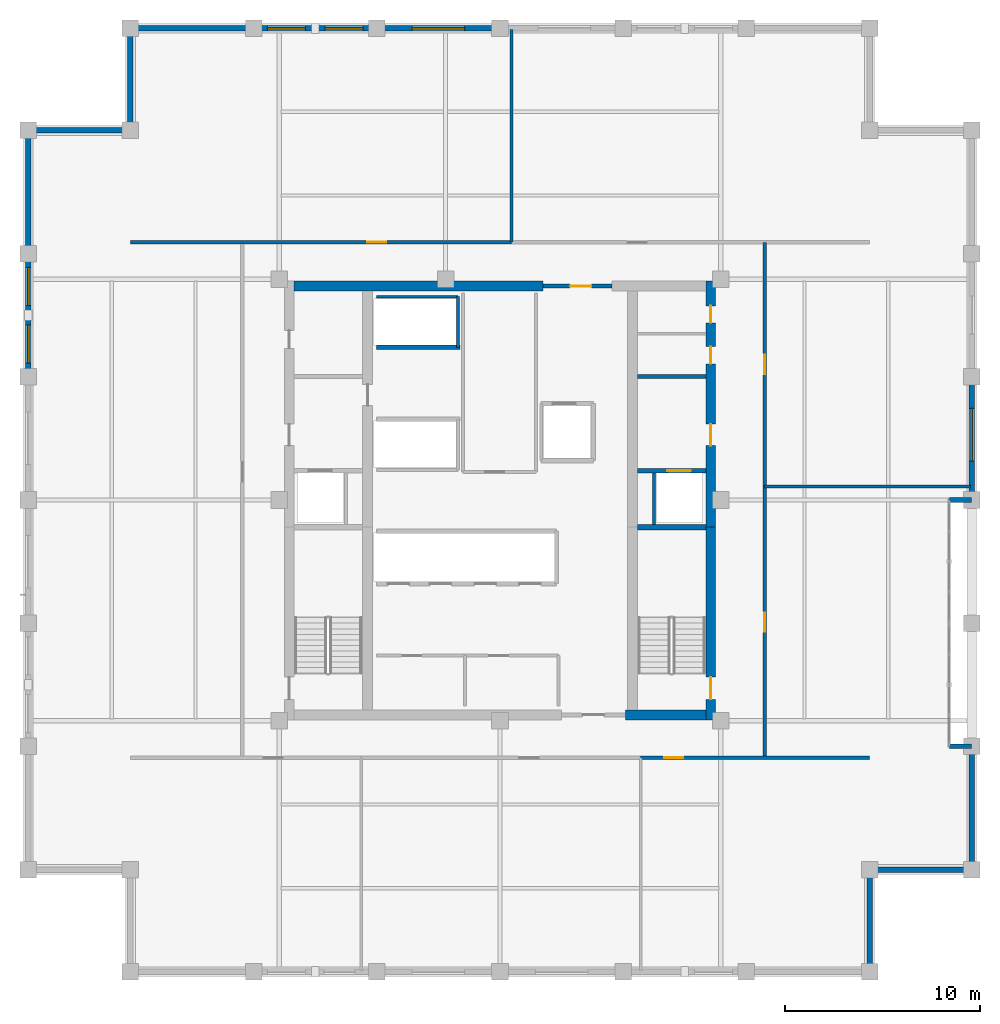
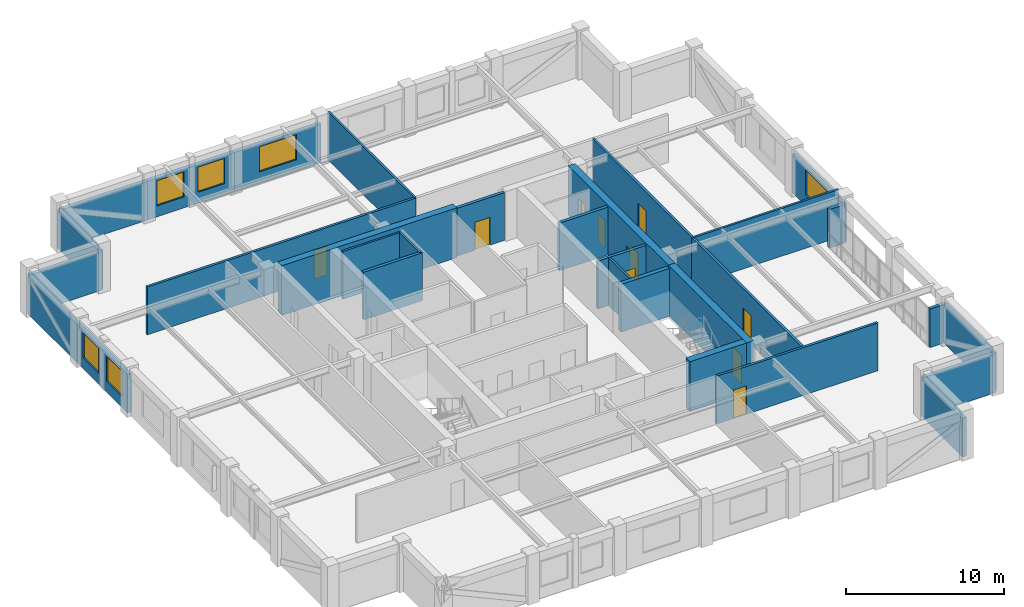
# One storey, part 7 of 10: 31 walls, 10 doors, 6 windows, 16 openings.
"""IFC4 building model written with IfcOpenShell, lengths in metres."""

from ifc_helpers import new_model, si_unit, direction, frame, frame_2d, origin, place, context, subcontext, project, spatial, rectangle, extrude, material, layer, layer_set, type_object, element, fill, save


model = new_model("IFC4")

# Units and contexts
model_context = context("Model", 3, precision=1e-05, world=origin(), true_north=direction((0.0, 1.0)))
body_context = subcontext(model_context, "Body", "Model", "MODEL_VIEW")
ifc_project = project(units=[si_unit("LENGTHUNIT", "METRE"), si_unit("AREAUNIT", "SQUARE_METRE"), si_unit("VOLUMEUNIT", "CUBIC_METRE"), si_unit("PLANEANGLEUNIT", "RADIAN"), si_unit("MASSUNIT", "GRAM", prefix="KILO")], contexts=[model_context])

# Site, building, storey
site_placement = place(None, origin())
site = spatial("IfcSite", under=ifc_project, at=site_placement, CompositionType="ELEMENT")
building_placement = place(site_placement, origin())
building = spatial("IfcBuilding", under=site, at=building_placement, Name="Nhamokura Convention Tower", CompositionType="ELEMENT")
storey_placement = place(building_placement, frame((0.0, 0.0, 236.949951171875)))
storey = spatial("IfcBuildingStorey", under=building, at=storey_placement, Name="L58", CompositionType="ELEMENT", Elevation=236.949951171875)

# Wall
ifc_material_1 = material(Name="Bronze-pigmented precast concrete C45/55", Category="concrete")
ifc_layer_1 = layer(ifc_material_1, 0.280029296875)
ifc_layer_set_1 = layer_set([ifc_layer_1], Name="BronzePrecastSpandrel_280")
wall_type_1 = type_object("IfcWallType", Name="BronzePrecastSpandrel_280", PredefinedType="USERDEFINED", material=ifc_layer_set_1)
wall_1_placement = place(storey_placement, frame((13.0, 56.25, 0.0), z_axis=(0.0, 0.0, 1.0), x_axis=(1.0, 0.0, 0.0)))
element("IfcWall", 1, at=wall_1_placement, inside=storey, type_object=wall_type_1, Name="L58 Braced-Bay Precast Wall NORTH 0", ObjectType="SPANDREL_WALL", PredefinedType="USERDEFINED", context=body_context, shape_type="SweptSolid", body=[
    extrude(rectangle(XDim=6.333251953125, YDim=0.280029296875, at=frame_2d((3.16650390625, 0.0))), origin(), (0.0, 0.0, 1.0), 2.985107421875),
])

# Wall, openings, windows
wall_2_placement = place(storey_placement, frame((19.333251953125, 56.25, 0.0), z_axis=(0.0, 0.0, 1.0), x_axis=(1.0, 0.0, 0.0)))
wall_2 = element("IfcWall", 2, at=wall_2_placement, inside=storey, type_object=wall_type_1, Name="L58 Masonry-Frame Wall NORTH 1", ObjectType="SPANDREL_WALL", PredefinedType="USERDEFINED", context=body_context, shape_type="SweptSolid", body=[
    extrude(rectangle(XDim=6.33349609375, YDim=0.280029296875, at=frame_2d((3.166748046875, 0.0))), origin(), (0.0, 0.0, 1.0), 2.985107421875),
])
opening_1_placement = place(wall_2_placement, frame((0.708251953125, 0.0, 0.85009765625)))
opening_1 = element("IfcOpeningElement", 3, at=opening_1_placement, cuts=wall_2, Name="Opening W-08", PredefinedType="OPENING", context=body_context, shape_type="SweptSolid", body=[
    extrude(rectangle(XDim=1.949951171875, YDim=1.93505859375, at=frame_2d((0.97509765625, 0.967529296875))), frame((0.0, 0.14990234375, 0.0), z_axis=(0.0, -1.0, 0.0), x_axis=(1.0, 0.0, 0.0)), (0.0, 0.0, 1.0), 0.300048828125),
])
opening_2_placement = place(wall_2_placement, frame((3.675048828125, 0.0, 0.85009765625)))
opening_2 = element("IfcOpeningElement", 4, at=opening_2_placement, cuts=wall_2, Name="Opening W-08", PredefinedType="OPENING", context=body_context, shape_type="SweptSolid", body=[
    extrude(rectangle(XDim=1.949951171875, YDim=1.93505859375, at=frame_2d((0.97509765625, 0.967529296875))), frame((0.0, 0.14990234375, 0.0), z_axis=(0.0, -1.0, 0.0), x_axis=(1.0, 0.0, 0.0)), (0.0, 0.0, 1.0), 0.300048828125),
])
ifc_material_2 = material(Name="Solar-control bronze low-E double glass", Category="glass")
window_type_1 = type_object("IfcWindowType", Name="OfficeModuleWindow_Z3_1950", PartitioningType="SINGLE_PANEL", PredefinedType="WINDOW", material=ifc_material_2)
window_1_placement = place(opening_1_placement, origin())
window_1 = element("IfcWindow", 5, at=window_1_placement, inside=storey, type_object=window_type_1, Name="L58 Facade Window NORTH 1-1", OverallHeight=1.93505859375, OverallWidth=1.949951171875, PartitioningType="SINGLE_PANEL", PredefinedType="WINDOW", context=body_context, shape_type="SweptSolid", body=[
    extrude(rectangle(XDim=1.949951171875, YDim=1.93505859375, at=frame_2d((0.97509765625, 0.967529296875))), frame((0.0, 0.030029296875, 0.0), z_axis=(0.0, -1.0, 0.0), x_axis=(1.0, 0.0, 0.0)), (0.0, 0.0, 1.0), 0.06005859375),
])
fill(opening_1, window_1)
window_2_placement = place(opening_2_placement, origin())
window_2 = element("IfcWindow", 6, at=window_2_placement, inside=storey, type_object=window_type_1, Name="L58 Facade Window NORTH 1-2", OverallHeight=1.93505859375, OverallWidth=1.949951171875, PartitioningType="SINGLE_PANEL", PredefinedType="WINDOW", context=body_context, shape_type="SweptSolid", body=[
    extrude(rectangle(XDim=1.949951171875, YDim=1.93505859375, at=frame_2d((0.97509765625, 0.967529296875))), frame((0.0, 0.030029296875, 0.0), z_axis=(0.0, -1.0, 0.0), x_axis=(1.0, 0.0, 0.0)), (0.0, 0.0, 1.0), 0.06005859375),
])
fill(opening_2, window_2)

# Wall, opening, window
wall_3_placement = place(storey_placement, frame((25.666748046875, 56.25, 0.0), z_axis=(0.0, 0.0, 1.0), x_axis=(1.0, 0.0, 0.0)))
wall_3 = element("IfcWall", 7, at=wall_3_placement, inside=storey, type_object=wall_type_1, Name="L58 Masonry-Frame Wall NORTH 2", ObjectType="SPANDREL_WALL", PredefinedType="USERDEFINED", context=body_context, shape_type="SweptSolid", body=[
    extrude(rectangle(XDim=6.333251953125, YDim=0.280029296875, at=frame_2d((3.16650390625, 0.0))), origin(), (0.0, 0.0, 1.0), 2.985107421875),
])
opening_3_placement = place(wall_3_placement, frame((1.816650390625, 0.0, 0.85009765625)))
opening_3 = element("IfcOpeningElement", 8, at=opening_3_placement, cuts=wall_3, Name="Opening W-07", PredefinedType="OPENING", context=body_context, shape_type="SweptSolid", body=[
    extrude(rectangle(XDim=2.699951171875, YDim=1.93505859375, at=frame_2d((1.35009765625, 0.967529296875))), frame((0.0, 0.14990234375, 0.0), z_axis=(0.0, -1.0, 0.0), x_axis=(1.0, 0.0, 0.0)), (0.0, 0.0, 1.0), 0.300048828125),
])
ifc_material_3 = material(Name="Solar-control bronze low-E double glass", Category="glass")
window_type_2 = type_object("IfcWindowType", Name="OfficeModuleWindow_Z3_2700", PartitioningType="DOUBLE_PANEL_VERTICAL", PredefinedType="WINDOW", material=ifc_material_3)
window_3_placement = place(opening_3_placement, origin())
window_3 = element("IfcWindow", 9, at=window_3_placement, inside=storey, type_object=window_type_2, Name="L58 Facade Window NORTH 2", OverallHeight=1.93505859375, OverallWidth=2.699951171875, PartitioningType="SINGLE_PANEL", PredefinedType="WINDOW", context=body_context, shape_type="SweptSolid", body=[
    extrude(rectangle(XDim=2.699951171875, YDim=1.93505859375, at=frame_2d((1.35009765625, 0.967529296875))), frame((0.0, 0.030029296875, 0.0), z_axis=(0.0, -1.0, 0.0), x_axis=(1.0, 0.0, 0.0)), (0.0, 0.0, 1.0), 0.06005859375),
])
fill(opening_3, window_3)

# Wall, openings, windows
wall_4_placement = place(storey_placement, frame((7.75, 38.333251953125, 0.0), z_axis=(0.0, 0.0, 1.0), x_axis=(0.0, 1.0, 0.0)))
wall_4 = element("IfcWall", 10, at=wall_4_placement, inside=storey, type_object=wall_type_1, Name="L58 Masonry-Frame Wall WEST 4", ObjectType="SPANDREL_WALL", PredefinedType="USERDEFINED", context=body_context, shape_type="SweptSolid", body=[
    extrude(rectangle(XDim=6.33349609375, YDim=0.280029296875, at=frame_2d((3.166748046875, 0.0))), origin(), (0.0, 0.0, 1.0), 2.985107421875),
])
opening_4_placement = place(wall_4_placement, frame((0.708251953125, 0.0, 0.85009765625)))
opening_4 = element("IfcOpeningElement", 11, at=opening_4_placement, cuts=wall_4, Name="Opening W-08", PredefinedType="OPENING", context=body_context, shape_type="SweptSolid", body=[
    extrude(rectangle(XDim=1.949951171875, YDim=1.93505859375, at=frame_2d((0.97509765625, 0.967529296875))), frame((0.0, 0.14990234375, 0.0), z_axis=(0.0, -1.0, 0.0), x_axis=(1.0, 0.0, 0.0)), (0.0, 0.0, 1.0), 0.300048828125),
])
opening_5_placement = place(wall_4_placement, frame((3.675048828125, 0.0, 0.85009765625)))
opening_5 = element("IfcOpeningElement", 12, at=opening_5_placement, cuts=wall_4, Name="Opening W-08", PredefinedType="OPENING", context=body_context, shape_type="SweptSolid", body=[
    extrude(rectangle(XDim=1.949951171875, YDim=1.93505859375, at=frame_2d((0.97509765625, 0.967529296875))), frame((0.0, 0.14990234375, 0.0), z_axis=(0.0, -1.0, 0.0), x_axis=(1.0, 0.0, 0.0)), (0.0, 0.0, 1.0), 0.300048828125),
])
window_4_placement = place(opening_4_placement, origin())
window_4 = element("IfcWindow", 13, at=window_4_placement, inside=storey, type_object=window_type_1, Name="L58 Facade Window WEST 4-1", OverallHeight=1.93505859375, OverallWidth=1.949951171875, PartitioningType="SINGLE_PANEL", PredefinedType="WINDOW", context=body_context, shape_type="SweptSolid", body=[
    extrude(rectangle(XDim=1.949951171875, YDim=1.93505859375, at=frame_2d((0.97509765625, 0.967529296875))), frame((0.0, 0.030029296875, 0.0), z_axis=(0.0, -1.0, 0.0), x_axis=(1.0, 0.0, 0.0)), (0.0, 0.0, 1.0), 0.06005859375),
])
fill(opening_4, window_4)
window_5_placement = place(opening_5_placement, origin())
window_5 = element("IfcWindow", 14, at=window_5_placement, inside=storey, type_object=window_type_1, Name="L58 Facade Window WEST 4-2", OverallHeight=1.93505859375, OverallWidth=1.949951171875, PartitioningType="SINGLE_PANEL", PredefinedType="WINDOW", context=body_context, shape_type="SweptSolid", body=[
    extrude(rectangle(XDim=1.949951171875, YDim=1.93505859375, at=frame_2d((0.97509765625, 0.967529296875))), frame((0.0, 0.030029296875, 0.0), z_axis=(0.0, -1.0, 0.0), x_axis=(1.0, 0.0, 0.0)), (0.0, 0.0, 1.0), 0.06005859375),
])
fill(opening_5, window_5)

# Walls
wall_5_placement = place(storey_placement, frame((7.75, 44.666748046875, 0.0), z_axis=(0.0, 0.0, 1.0), x_axis=(0.0, 1.0, 0.0)))
element("IfcWall", 15, at=wall_5_placement, inside=storey, type_object=wall_type_1, Name="L58 Braced-Bay Precast Wall WEST 5", ObjectType="SPANDREL_WALL", PredefinedType="USERDEFINED", context=body_context, shape_type="SweptSolid", body=[
    extrude(rectangle(XDim=6.333251953125, YDim=0.280029296875, at=frame_2d((3.16650390625, 0.0))), origin(), (0.0, 0.0, 1.0), 2.985107421875),
])
for number, where, z_axis, x_axis, name in (
    (16, (56.25, 19.333251953125, 0.0), (0.0, 0.0, 1.0), (-1.0, 0.0, 0.0), "L58 Scale Slot Cheek Wall EASTA"),
    (17, (56.25, 32.0, 0.0), (0.0, 0.0, 1.0), (-1.0, 0.0, 0.0), "L58 Scale Slot Cheek Wall EASTB"),
):
    element("IfcWall", number, at=place(storey_placement, frame(where, z_axis=z_axis, x_axis=x_axis)), inside=storey, type_object=wall_type_1, Name=name, ObjectType="SPANDREL_WALL", PredefinedType="USERDEFINED", context=body_context, shape_type="SweptSolid", body=[
        extrude(rectangle(XDim=1.14990234375, YDim=0.239990234375, at=frame_2d((0.574951171875, 0.0))), origin(), (0.0, 0.0, 1.0), 2.985107421875),
    ])
wall_6_placement = place(storey_placement, frame((56.25, 19.333251953125, 0.0), z_axis=(0.0, 0.0, 1.0), x_axis=(0.0, -1.0, 0.0)))
element("IfcWall", 18, at=wall_6_placement, inside=storey, type_object=wall_type_1, Name="L58 Braced-Bay Precast Wall EAST 0", ObjectType="SPANDREL_WALL", PredefinedType="USERDEFINED", context=body_context, shape_type="SweptSolid", body=[
    extrude(rectangle(XDim=6.333251953125, YDim=0.280029296875, at=frame_2d((3.16650390625, 0.0))), origin(), (0.0, 0.0, 1.0), 2.985107421875),
])

# Wall, opening, window
wall_7_placement = place(storey_placement, frame((56.25, 38.333251953125, 0.0), z_axis=(0.0, 0.0, 1.0), x_axis=(0.0, -1.0, 0.0)))
wall_7 = element("IfcWall", 19, at=wall_7_placement, inside=storey, type_object=wall_type_1, Name="L58 Masonry-Frame Wall EAST 3", ObjectType="SPANDREL_WALL", PredefinedType="USERDEFINED", context=body_context, shape_type="SweptSolid", body=[
    extrude(rectangle(XDim=6.333251953125, YDim=0.280029296875, at=frame_2d((3.16650390625, 0.0))), origin(), (0.0, 0.0, 1.0), 2.985107421875),
])
opening_6_placement = place(wall_7_placement, frame((1.629150390625, 0.0, 0.85009765625)))
opening_6 = element("IfcOpeningElement", 20, at=opening_6_placement, cuts=wall_7, Name="Opening W-07", PredefinedType="OPENING", context=body_context, shape_type="SweptSolid", body=[
    extrude(rectangle(XDim=2.699951171875, YDim=1.93505859375, at=frame_2d((1.35009765625, 0.967529296875))), frame((0.0, 0.14990234375, 0.0), z_axis=(0.0, -1.0, 0.0), x_axis=(1.0, 0.0, 0.0)), (0.0, 0.0, 1.0), 0.300048828125),
])
window_6_placement = place(opening_6_placement, origin())
window_6 = element("IfcWindow", 21, at=window_6_placement, inside=storey, type_object=window_type_2, Name="L58 Facade Window EAST 3", OverallHeight=1.93505859375, OverallWidth=2.699951171875, PartitioningType="SINGLE_PANEL", PredefinedType="WINDOW", context=body_context, shape_type="SweptSolid", body=[
    extrude(rectangle(XDim=2.699951171875, YDim=1.93505859375, at=frame_2d((1.35009765625, 0.967529296875))), frame((0.0, 0.030029296875, 0.0), z_axis=(0.0, -1.0, 0.0), x_axis=(1.0, 0.0, 0.0)), (0.0, 0.0, 1.0), 0.06005859375),
])
fill(opening_6, window_6)

# Walls
for number, where, z_axis, x_axis, name in (
    (22, (51.0, 13.0, 0.0), (0.0, 0.0, 1.0), (0.0, -1.0, 0.0), "L58 Notched Corner Wall SE1"),
    (23, (56.25, 13.0, 0.0), (0.0, 0.0, 1.0), (-1.0, 0.0, 0.0), "L58 Notched Corner Wall SE2"),
    (24, (13.0, 51.0, 0.0), (0.0, 0.0, 1.0), (0.0, 1.0, 0.0), "L58 Notched Corner Wall NW1"),
    (25, (7.75, 51.0, 0.0), (0.0, 0.0, 1.0), (1.0, 0.0, 0.0), "L58 Notched Corner Wall NW2"),
):
    element("IfcWall", number, at=place(storey_placement, frame(where, z_axis=z_axis, x_axis=x_axis)), inside=storey, type_object=wall_type_1, Name=name, ObjectType="SPANDREL_WALL", PredefinedType="USERDEFINED", context=body_context, shape_type="SweptSolid", body=[
        extrude(rectangle(XDim=5.25, YDim=0.280029296875, at=frame_2d((2.625, 0.0))), origin(), (0.0, 0.0, 1.0), 2.985107421875),
    ])

# Wall, opening, door
ifc_material_4 = material(Name="Concrete C60/75", Category="concrete")
ifc_layer_2 = layer(ifc_material_4, 0.5)
ifc_layer_set_2 = layer_set([ifc_layer_2], Name="CoreShearWall_500")
wall_type_2 = type_object("IfcWallType", Name="CoreShearWall_500", PredefinedType="SHEAR", material=ifc_layer_set_2)
wall_8_placement = place(storey_placement, frame((42.840087890625, 20.699951171875, 0.0), z_axis=(0.0, 0.0, 1.0), x_axis=(0.0, 1.0, 0.0)))
wall_8 = element("IfcWall", 26, at=wall_8_placement, inside=storey, type_object=wall_type_2, Name="L58 Core Shear Wall CW-ES", PredefinedType="SHEAR", context=body_context, shape_type="SweptSolid", body=[
    extrude(rectangle(XDim=9.900146484375, YDim=0.5, at=frame_2d((4.9501953125, 0.0))), origin(), (0.0, 0.0, 1.0), 3.85009765625),
])
opening_7_placement = place(wall_8_placement, frame((1.050048828125, 0.0, 0.0)))
opening_7 = element("IfcOpeningElement", 27, at=opening_7_placement, cuts=wall_8, Name="Opening D-04", PredefinedType="OPENING", context=body_context, shape_type="SweptSolid", body=[
    extrude(rectangle(XDim=1.14990234375, YDim=2.14990234375, at=frame_2d((0.574951171875, 1.074951171875))), frame((0.0, 0.260009765625, 0.0), z_axis=(0.0, -1.0, 0.0), x_axis=(1.0, 0.0, 0.0)), (0.0, 0.0, 1.0), 0.52001953125),
])
ifc_material_5 = material(Name="Fire-rated steel door", Category="steel")
door_type_1 = type_object("IfcDoorType", Name="StairSmokeDoor_1150", OperationType="NOTDEFINED", PredefinedType="DOOR", material=ifc_material_5)
door_1_placement = place(opening_7_placement, origin())
door_1 = element("IfcDoor", 28, at=door_1_placement, inside=storey, type_object=door_type_1, Name="L58 Core Door INT-L58-D-ST02", OperationType="SINGLE_SWING_RIGHT", OverallHeight=2.14990234375, OverallWidth=1.14990234375, PredefinedType="DOOR", context=body_context, shape_type="SweptSolid", body=[
    extrude(rectangle(XDim=1.14990234375, YDim=2.14990234375, at=frame_2d((0.574951171875, 1.074951171875))), frame((0.0, 0.02490234375, 0.0), z_axis=(0.0, -1.0, 0.0), x_axis=(1.0, 0.0, 0.0)), (0.0, 0.0, 1.0), 0.050048828125),
])
fill(opening_7, door_1)

# Wall, openings, doors
wall_9_placement = place(storey_placement, frame((42.840087890625, 30.60009765625, 0.0), z_axis=(0.0, 0.0, 1.0), x_axis=(0.0, 1.0, 0.0)))
wall_9 = element("IfcWall", 29, at=wall_9_placement, inside=storey, type_object=wall_type_2, Name="L58 Core Shear Wall CW-EN", PredefinedType="SHEAR", context=body_context, shape_type="SweptSolid", body=[
    extrude(rectangle(XDim=12.64990234375, YDim=0.5, at=frame_2d((6.324951171875, 0.0))), origin(), (0.0, 0.0, 1.0), 3.85009765625),
])
opening_8_placement = place(wall_9_placement, frame((4.199951171875, 0.0, 0.0)))
opening_8 = element("IfcOpeningElement", 30, at=opening_8_placement, cuts=wall_9, Name="Opening D-05", PredefinedType="OPENING", context=body_context, shape_type="SweptSolid", body=[
    extrude(rectangle(XDim=1.10009765625, YDim=2.14990234375, at=frame_2d((0.550048828125, 1.074951171875))), frame((0.0, 0.260009765625, 0.0), z_axis=(0.0, -1.0, 0.0), x_axis=(1.0, 0.0, 0.0)), (0.0, 0.0, 1.0), 0.52001953125),
])
opening_9_placement = place(wall_9_placement, frame((8.39990234375, 0.0, 0.0)))
opening_9 = element("IfcOpeningElement", 31, at=opening_9_placement, cuts=wall_9, Name="Opening D-11", PredefinedType="OPENING", context=body_context, shape_type="SweptSolid", body=[
    extrude(rectangle(XDim=0.8798828125, YDim=2.10009765625, at=frame_2d((0.43994140625, 1.050048828125))), frame((0.0, 0.260009765625, 0.0), z_axis=(0.0, -1.0, 0.0), x_axis=(1.0, 0.0, 0.0)), (0.0, 0.0, 1.0), 0.52001953125),
])
opening_10_placement = place(wall_9_placement, frame((10.5, 0.0, 0.0)))
opening_10 = element("IfcOpeningElement", 32, at=opening_10_placement, cuts=wall_9, Name="Opening D-11", PredefinedType="OPENING", context=body_context, shape_type="SweptSolid", body=[
    extrude(rectangle(XDim=0.8798828125, YDim=2.10009765625, at=frame_2d((0.43994140625, 1.050048828125))), frame((0.0, 0.260009765625, 0.0), z_axis=(0.0, -1.0, 0.0), x_axis=(1.0, 0.0, 0.0)), (0.0, 0.0, 1.0), 0.52001953125),
])
ifc_material_6 = material(Name="Solid oak hardwood", Category="wood")
door_type_2 = type_object("IfcDoorType", Name="BathroomDoor_880", OperationType="NOTDEFINED", PredefinedType="DOOR", material=ifc_material_6)
door_2_placement = place(opening_9_placement, origin())
door_2 = element("IfcDoor", 33, at=door_2_placement, inside=storey, type_object=door_type_2, Name="L58 Core Door INT-L58-D-MWC", OperationType="SINGLE_SWING_RIGHT", OverallHeight=2.10009765625, OverallWidth=0.8798828125, PredefinedType="DOOR", context=body_context, shape_type="SweptSolid", body=[
    extrude(rectangle(XDim=0.8798828125, YDim=2.10009765625, at=frame_2d((0.43994140625, 1.050048828125))), frame((0.0, 0.02490234375, 0.0), z_axis=(0.0, -1.0, 0.0), x_axis=(1.0, 0.0, 0.0)), (0.0, 0.0, 1.0), 0.050048828125),
])
fill(opening_9, door_2)
door_3_placement = place(opening_10_placement, origin())
door_3 = element("IfcDoor", 34, at=door_3_placement, inside=storey, type_object=door_type_2, Name="L58 Core Door INT-L58-D-FWC", OperationType="SINGLE_SWING_LEFT", OverallHeight=2.10009765625, OverallWidth=0.8798828125, PredefinedType="DOOR", context=body_context, shape_type="SweptSolid", body=[
    extrude(rectangle(XDim=0.8798828125, YDim=2.10009765625, at=frame_2d((0.43994140625, 1.050048828125))), frame((0.0, 0.02490234375, 0.0), z_axis=(0.0, -1.0, 0.0), x_axis=(1.0, 0.0, 0.0)), (0.0, 0.0, 1.0), 0.050048828125),
])
fill(opening_10, door_3)
ifc_material_7 = material(Name="Fire-rated steel door", Category="steel")
door_type_3 = type_object("IfcDoorType", Name="FireLobbyDoor_1100", OperationType="NOTDEFINED", PredefinedType="DOOR", material=ifc_material_7)
door_4_placement = place(opening_8_placement, origin())
door_4 = element("IfcDoor", 35, at=door_4_placement, inside=storey, type_object=door_type_3, Name="L58 Core Door INT-L58-D-FFLE", OperationType="SINGLE_SWING_LEFT", OverallHeight=2.14990234375, OverallWidth=1.10009765625, PredefinedType="DOOR", context=body_context, shape_type="SweptSolid", body=[
    extrude(rectangle(XDim=1.10009765625, YDim=2.14990234375, at=frame_2d((0.550048828125, 1.074951171875))), frame((0.0, 0.02490234375, 0.0), z_axis=(0.0, -1.0, 0.0), x_axis=(1.0, 0.0, 0.0)), (0.0, 0.0, 1.0), 0.050048828125),
])
fill(opening_8, door_4)

# Walls
wall_10_placement = place(storey_placement, frame((38.449951171875, 20.949951171875, 0.0), z_axis=(0.0, 0.0, 1.0), x_axis=(1.0, 0.0, 0.0)))
element("IfcWall", 36, at=wall_10_placement, inside=storey, type_object=wall_type_2, Name="L58 Core Shear Wall CW-S2", PredefinedType="SHEAR", context=body_context, shape_type="SweptSolid", body=[
    extrude(rectangle(XDim=4.14013671875, YDim=0.5, at=frame_2d((2.070068359375, 0.0))), origin(), (0.0, 0.0, 1.0), 3.85009765625),
])
wall_11_placement = place(storey_placement, frame((21.409912109375, 43.0, 0.0), z_axis=(0.0, 0.0, 1.0), x_axis=(1.0, 0.0, 0.0)))
element("IfcWall", 37, at=wall_11_placement, inside=storey, type_object=wall_type_2, Name="L58 Core Shear Wall CW-N1", PredefinedType="SHEAR", context=body_context, shape_type="SweptSolid", body=[
    extrude(rectangle(XDim=12.7900390625, YDim=0.5, at=frame_2d((6.39501953125, 0.0))), origin(), (0.0, 0.0, 1.0), 3.85009765625),
])

# Wall, opening, door
ifc_material_8 = material(Name="Fire-rated gypsum and masonry partition", Category="masonry")
ifc_layer_3 = layer(ifc_material_8, 0.179931640625)
ifc_layer_set_3 = layer_set([ifc_layer_3], Name="CorridorRatedWall_180")
wall_type_3 = type_object("IfcWallType", Name="CorridorRatedWall_180", PredefinedType="STANDARD", material=ifc_layer_set_3)
wall_12_placement = place(storey_placement, frame((39.2333984375, 18.75, 0.0), z_axis=(0.0, 0.0, 1.0), x_axis=(1.0, 0.0, 0.0)))
wall_12 = element("IfcWall", 38, at=wall_12_placement, inside=storey, type_object=wall_type_3, Name="L58 Wall INT-L58-CW-S02", PredefinedType="STANDARD", context=body_context, shape_type="SweptSolid", body=[
    extrude(rectangle(XDim=11.7666015625, YDim=0.179931640625, at=frame_2d((5.88330078125, 0.0))), origin(), (0.0, 0.0, 1.0), 3.68505859375),
])
opening_11_placement = place(wall_12_placement, frame((1.208251953125, 0.0, 0.0)))
opening_11 = element("IfcOpeningElement", 39, at=opening_11_placement, cuts=wall_12, Name="Opening D-08", PredefinedType="OPENING", context=body_context, shape_type="SweptSolid", body=[
    extrude(rectangle(XDim=0.97998046875, YDim=2.199951171875, at=frame_2d((0.489990234375, 1.10009765625))), frame((0.0, 0.099853515625, 0.0), z_axis=(0.0, -1.0, 0.0), x_axis=(1.0, 0.0, 0.0)), (0.0, 0.0, 1.0), 0.199951171875),
])
ifc_material_9 = material(Name="Solid oak hardwood", Category="wood")
door_type_4 = type_object("IfcDoorType", Name="OfficeEntryDoor_980", OperationType="NOTDEFINED", PredefinedType="DOOR", material=ifc_material_9)
door_5_placement = place(opening_11_placement, origin())
door_5 = element("IfcDoor", 40, at=door_5_placement, inside=storey, type_object=door_type_4, Name="L58 Conference Hall S03 Door", OperationType="SINGLE_SWING_LEFT", OverallHeight=2.199951171875, OverallWidth=0.97998046875, PredefinedType="DOOR", context=body_context, shape_type="SweptSolid", body=[
    extrude(rectangle(XDim=0.97998046875, YDim=2.199951171875, at=frame_2d((0.489990234375, 1.10009765625))), frame((0.0, 0.02490234375, 0.0), z_axis=(0.0, -1.0, 0.0), x_axis=(1.0, 0.0, 0.0)), (0.0, 0.0, 1.0), 0.050048828125),
])
fill(opening_11, door_5)

wall_13_placement = place(storey_placement, frame((13.0, 45.25, 0.0), z_axis=(0.0, 0.0, 1.0), x_axis=(1.0, 0.0, 0.0)))
wall_13 = element("IfcWall", 41, at=wall_13_placement, inside=storey, type_object=wall_type_3, Name="L58 Wall INT-L58-CW-N00", PredefinedType="STANDARD", context=body_context, shape_type="SweptSolid", body=[
    extrude(rectangle(XDim=19.60009765625, YDim=0.179931640625, at=frame_2d((9.800048828125, 0.0))), origin(), (0.0, 0.0, 1.0), 3.68505859375),
])
opening_12_placement = place(wall_13_placement, frame((12.175048828125, 0.0, 0.0)))
opening_12 = element("IfcOpeningElement", 42, at=opening_12_placement, cuts=wall_13, Name="Opening D-08", PredefinedType="OPENING", context=body_context, shape_type="SweptSolid", body=[
    extrude(rectangle(XDim=0.97998046875, YDim=2.199951171875, at=frame_2d((0.489990234375, 1.10009765625))), frame((0.0, 0.099853515625, 0.0), z_axis=(0.0, -1.0, 0.0), x_axis=(1.0, 0.0, 0.0)), (0.0, 0.0, 1.0), 0.199951171875),
])
door_6_placement = place(opening_12_placement, origin())
door_6 = element("IfcDoor", 43, at=door_6_placement, inside=storey, type_object=door_type_4, Name="L58 Training Classroom N01 Door", OperationType="SINGLE_SWING_LEFT", OverallHeight=2.199951171875, OverallWidth=0.97998046875, PredefinedType="DOOR", context=body_context, shape_type="SweptSolid", body=[
    extrude(rectangle(XDim=0.97998046875, YDim=2.199951171875, at=frame_2d((0.489990234375, 1.10009765625))), frame((0.0, 0.02490234375, 0.0), z_axis=(0.0, -1.0, 0.0), x_axis=(1.0, 0.0, 0.0)), (0.0, 0.0, 1.0), 0.050048828125),
])
fill(opening_12, door_6)

wall_14_placement = place(storey_placement, frame((45.60009765625, 18.75, 0.0), z_axis=(0.0, 0.0, 1.0), x_axis=(0.0, 1.0, 0.0)))
wall_14 = element("IfcWall", 44, at=wall_14_placement, inside=storey, type_object=wall_type_3, Name="L58 Wall INT-L58-CW-E00", PredefinedType="STANDARD", context=body_context, shape_type="SweptSolid", body=[
    extrude(rectangle(XDim=13.949951171875, YDim=0.179931640625, at=frame_2d((6.97509765625, 0.0))), origin(), (0.0, 0.0, 1.0), 3.68505859375),
])
opening_13_placement = place(wall_14_placement, frame((6.47509765625, 0.0, 0.0)))
opening_13 = element("IfcOpeningElement", 45, at=opening_13_placement, cuts=wall_14, Name="Opening D-08", PredefinedType="OPENING", context=body_context, shape_type="SweptSolid", body=[
    extrude(rectangle(XDim=0.97998046875, YDim=2.199951171875, at=frame_2d((0.489990234375, 1.10009765625))), frame((0.0, 0.099853515625, 0.0), z_axis=(0.0, -1.0, 0.0), x_axis=(1.0, 0.0, 0.0)), (0.0, 0.0, 1.0), 0.199951171875),
])
door_7_placement = place(opening_13_placement, origin())
door_7 = element("IfcDoor", 46, at=door_7_placement, inside=storey, type_object=door_type_4, Name="L58 Open Plan Office E01 Door", OperationType="SINGLE_SWING_LEFT", OverallHeight=2.199951171875, OverallWidth=0.97998046875, PredefinedType="DOOR", context=body_context, shape_type="SweptSolid", body=[
    extrude(rectangle(XDim=0.97998046875, YDim=2.199951171875, at=frame_2d((0.489990234375, 1.10009765625))), frame((0.0, 0.02490234375, 0.0), z_axis=(0.0, -1.0, 0.0), x_axis=(1.0, 0.0, 0.0)), (0.0, 0.0, 1.0), 0.050048828125),
])
fill(opening_13, door_7)

wall_15_placement = place(storey_placement, frame((45.60009765625, 32.699951171875, 0.0), z_axis=(0.0, 0.0, 1.0), x_axis=(0.0, 1.0, 0.0)))
wall_15 = element("IfcWall", 47, at=wall_15_placement, inside=storey, type_object=wall_type_3, Name="L58 Wall INT-L58-CW-E01", PredefinedType="STANDARD", context=body_context, shape_type="SweptSolid", body=[
    extrude(rectangle(XDim=12.550048828125, YDim=0.179931640625, at=frame_2d((6.27490234375, 0.0))), origin(), (0.0, 0.0, 1.0), 3.68505859375),
])
opening_14_placement = place(wall_15_placement, frame((5.77490234375, 0.0, 0.0)))
opening_14 = element("IfcOpeningElement", 48, at=opening_14_placement, cuts=wall_15, Name="Opening D-08", PredefinedType="OPENING", context=body_context, shape_type="SweptSolid", body=[
    extrude(rectangle(XDim=0.97998046875, YDim=2.199951171875, at=frame_2d((0.489990234375, 1.10009765625))), frame((0.0, 0.099853515625, 0.0), z_axis=(0.0, -1.0, 0.0), x_axis=(1.0, 0.0, 0.0)), (0.0, 0.0, 1.0), 0.199951171875),
])
door_8_placement = place(opening_14_placement, origin())
door_8 = element("IfcDoor", 49, at=door_8_placement, inside=storey, type_object=door_type_4, Name="L58 Collaboration Lounge E02 Door", OperationType="SINGLE_SWING_RIGHT", OverallHeight=2.199951171875, OverallWidth=0.97998046875, PredefinedType="DOOR", context=body_context, shape_type="SweptSolid", body=[
    extrude(rectangle(XDim=0.97998046875, YDim=2.199951171875, at=frame_2d((0.489990234375, 1.10009765625))), frame((0.0, 0.02490234375, 0.0), z_axis=(0.0, -1.0, 0.0), x_axis=(1.0, 0.0, 0.0)), (0.0, 0.0, 1.0), 0.050048828125),
])
fill(opening_14, door_8)

ifc_material_10 = material(Name="Autoclaved concrete blockwork", Category="masonry")
ifc_layer_4 = layer(ifc_material_10, 0.219970703125)
ifc_layer_set_4 = layer_set([ifc_layer_4], Name="FireLobbyWall_220")
wall_type_4 = type_object("IfcWallType", Name="FireLobbyWall_220", PredefinedType="STANDARD", material=ifc_layer_set_4)
wall_16_placement = place(storey_placement, frame((39.06005859375, 33.5, 0.0), z_axis=(0.0, 0.0, 1.0), x_axis=(1.0, 0.0, 0.0)))
wall_16 = element("IfcWall", 50, at=wall_16_placement, inside=storey, type_object=wall_type_4, Name="L58 Wall INT-L58-FFE-S", PredefinedType="STANDARD", context=body_context, shape_type="SweptSolid", body=[
    extrude(rectangle(XDim=3.530029296875, YDim=0.219970703125, at=frame_2d((1.76513671875, 0.0))), origin(), (0.0, 0.0, 1.0), 3.68505859375),
])
opening_15_placement = place(wall_16_placement, frame((1.550048828125, 0.0, 0.0)))
opening_15 = element("IfcOpeningElement", 51, at=opening_15_placement, cuts=wall_16, Name="Opening LD-02", PredefinedType="OPENING", context=body_context, shape_type="SweptSolid", body=[
    extrude(rectangle(XDim=1.199951171875, YDim=2.199951171875, at=frame_2d((0.60009765625, 1.10009765625))), frame((0.0, 0.119873046875, 0.0), z_axis=(0.0, -1.0, 0.0), x_axis=(1.0, 0.0, 0.0)), (0.0, 0.0, 1.0), 0.239990234375),
])
ifc_material_11 = material(Name="Anodised bronze stainless steel", Category="steel")
door_type_5 = type_object("IfcDoorType", Name="LiftLandingDoor_FireService", OperationType="DOUBLE_DOOR_SLIDING", PredefinedType="DOOR", material=ifc_material_11)
door_9_placement = place(opening_15_placement, origin())
door_9 = element("IfcDoor", 52, at=door_9_placement, inside=storey, type_object=door_type_5, Name="L58 Firefighting Lift LF-02 Door", OperationType="DOUBLE_DOOR_SLIDING", OverallHeight=2.199951171875, OverallWidth=1.199951171875, PredefinedType="DOOR", context=body_context, shape_type="SweptSolid", body=[
    extrude(rectangle(XDim=1.199951171875, YDim=2.199951171875, at=frame_2d((0.60009765625, 1.10009765625))), frame((0.0, 0.02490234375, 0.0), z_axis=(0.0, -1.0, 0.0), x_axis=(1.0, 0.0, 0.0)), (0.0, 0.0, 1.0), 0.050048828125),
])
fill(opening_15, door_9)

# Walls
wall_17_placement = place(storey_placement, frame((39.06005859375, 38.35009765625, 0.0), z_axis=(0.0, 0.0, 1.0), x_axis=(1.0, 0.0, 0.0)))
element("IfcWall", 53, at=wall_17_placement, inside=storey, type_object=wall_type_4, Name="L58 Wall INT-L58-FFE-N", PredefinedType="STANDARD", context=body_context, shape_type="SweptSolid", body=[
    extrude(rectangle(XDim=3.530029296875, YDim=0.219970703125, at=frame_2d((1.76513671875, 0.0))), origin(), (0.0, 0.0, 1.0), 3.68505859375),
])
wall_18_placement = place(storey_placement, frame((25.64990234375, 39.85009765625, 0.0), z_axis=(0.0, 0.0, 1.0), x_axis=(1.0, 0.0, 0.0)))
element("IfcWall", 54, at=wall_18_placement, inside=storey, type_object=wall_type_4, Name="L58 Wall INT-L58-B3N", PredefinedType="STANDARD", context=body_context, shape_type="SweptSolid", body=[
    extrude(rectangle(XDim=4.300048828125, YDim=0.219970703125, at=frame_2d((2.14990234375, 0.0))), origin(), (0.0, 0.0, 1.0), 3.68505859375),
])

# Wall, opening, door
wall_19_placement = place(storey_placement, frame((34.199951171875, 43.0, 0.0), z_axis=(0.0, 0.0, 1.0), x_axis=(1.0, 0.0, 0.0)))
wall_19 = element("IfcWall", 55, at=wall_19_placement, inside=storey, type_object=wall_type_4, Name="L58 Wall INT-L58-CPORT-N", PredefinedType="STANDARD", context=body_context, shape_type="SweptSolid", body=[
    extrude(rectangle(XDim=3.550048828125, YDim=0.219970703125, at=frame_2d((1.77490234375, 0.0))), origin(), (0.0, 0.0, 1.0), 3.68505859375),
])
opening_16_placement = place(wall_19_placement, frame((1.39990234375, 0.0, 0.0)))
opening_16 = element("IfcOpeningElement", 56, at=opening_16_placement, cuts=wall_19, Name="Opening D-05", PredefinedType="OPENING", context=body_context, shape_type="SweptSolid", body=[
    extrude(rectangle(XDim=1.10009765625, YDim=2.14990234375, at=frame_2d((0.550048828125, 1.074951171875))), frame((0.0, 0.119873046875, 0.0), z_axis=(0.0, -1.0, 0.0), x_axis=(1.0, 0.0, 0.0)), (0.0, 0.0, 1.0), 0.239990234375),
])
door_10_placement = place(opening_16_placement, origin())
door_10 = element("IfcDoor", 57, at=door_10_placement, inside=storey, type_object=door_type_3, Name="L58 North Core Lobby Portal Door", OperationType="SINGLE_SWING_RIGHT", OverallHeight=2.14990234375, OverallWidth=1.10009765625, PredefinedType="DOOR", context=body_context, shape_type="SweptSolid", body=[
    extrude(rectangle(XDim=1.10009765625, YDim=2.14990234375, at=frame_2d((0.550048828125, 1.074951171875))), frame((0.0, 0.02490234375, 0.0), z_axis=(0.0, -1.0, 0.0), x_axis=(1.0, 0.0, 0.0)), (0.0, 0.0, 1.0), 0.050048828125),
])
fill(opening_16, door_10)

# Walls
ifc_material_12 = material(Name="Acoustic gypsum stud partition", Category="masonry")
ifc_layer_5 = layer(ifc_material_12, 0.14990234375)
ifc_layer_set_5 = layer_set([ifc_layer_5], Name="InteriorPartition_150")
wall_type_5 = type_object("IfcWallType", Name="InteriorPartition_150", PredefinedType="STANDARD", material=ifc_layer_set_5)
wall_20_placement = place(storey_placement, frame((39.919921875, 30.75, 0.0), z_axis=(0.0, 0.0, 1.0), x_axis=(0.0, 1.0, 0.0)))
element("IfcWall", 58, at=wall_20_placement, inside=storey, type_object=wall_type_5, Name="L58 Wall INT-L58-FF2-W", PredefinedType="STANDARD", context=body_context, shape_type="SweptSolid", body=[
    extrude(rectangle(XDim=2.64990234375, YDim=0.14990234375, at=frame_2d((1.324951171875, 0.0))), origin(), (0.0, 0.0, 1.0), 3.68505859375),
])
wall_21_placement = place(storey_placement, frame((25.64990234375, 42.449951171875, 0.0), z_axis=(0.0, 0.0, 1.0), x_axis=(1.0, 0.0, 0.0)))
element("IfcWall", 59, at=wall_21_placement, inside=storey, type_object=wall_type_5, Name="L58 Wall INT-L58-B3B-N", PredefinedType="STANDARD", context=body_context, shape_type="SweptSolid", body=[
    extrude(rectangle(XDim=4.2001953125, YDim=0.14990234375, at=frame_2d((2.10009765625, 0.0))), origin(), (0.0, 0.0, 1.0), 3.68505859375),
])
wall_22_placement = place(storey_placement, frame((29.85009765625, 39.85009765625, 0.0), z_axis=(0.0, 0.0, 1.0), x_axis=(0.0, 1.0, 0.0)))
element("IfcWall", 60, at=wall_22_placement, inside=storey, type_object=wall_type_5, Name="L58 Wall INT-L58-B3B-E", PredefinedType="STANDARD", context=body_context, shape_type="SweptSolid", body=[
    extrude(rectangle(XDim=2.599853515625, YDim=0.14990234375, at=frame_2d((1.2998046875, 0.0))), origin(), (0.0, 0.0, 1.0), 3.68505859375),
])
wall_23_placement = place(storey_placement, frame((32.60009765625, 45.25, 0.0), z_axis=(0.0, 0.0, 1.0), x_axis=(0.0, 1.0, 0.0)))
element("IfcWall", 61, at=wall_23_placement, inside=storey, type_object=wall_type_5, Name="L58 Wall INT-L58-RW-N01", PredefinedType="STANDARD", context=body_context, shape_type="SweptSolid", body=[
    extrude(rectangle(XDim=10.93994140625, YDim=0.14990234375, at=frame_2d((5.469970703125, 0.0))), origin(), (0.0, 0.0, 1.0), 3.68505859375),
])
wall_24_placement = place(storey_placement, frame((45.60009765625, 32.699951171875, 0.0), z_axis=(0.0, 0.0, 1.0), x_axis=(1.0, 0.0, 0.0)))
element("IfcWall", 62, at=wall_24_placement, inside=storey, type_object=wall_type_5, Name="L58 Wall INT-L58-RW-E01", PredefinedType="STANDARD", context=body_context, shape_type="SweptSolid", body=[
    extrude(rectangle(XDim=10.58984375, YDim=0.14990234375, at=frame_2d((5.294921875, 0.0))), origin(), (0.0, 0.0, 1.0), 3.68505859375),
])
ifc_material_13 = material(Name="Concrete C50/60", Category="concrete")
ifc_layer_6 = layer(ifc_material_13, 0.300048828125)
ifc_layer_set_6 = layer_set([ifc_layer_6], Name="ShaftEnclosureWall_300")
wall_type_6 = type_object("IfcWallType", Name="ShaftEnclosureWall_300", PredefinedType="SHEAR", material=ifc_layer_set_6)
wall_25_placement = place(storey_placement, frame((39.06005859375, 30.60009765625, 0.0), z_axis=(0.0, 0.0, 1.0), x_axis=(1.0, 0.0, 0.0)))
element("IfcWall", 63, at=wall_25_placement, inside=storey, type_object=wall_type_6, Name="L58 Wall INT-L58-ST02-N", PredefinedType="SHEAR", context=body_context, shape_type="SweptSolid", body=[
    extrude(rectangle(XDim=3.530029296875, YDim=0.300048828125, at=frame_2d((1.76513671875, 0.0))), origin(), (0.0, 0.0, 1.0), 3.68505859375),
])

save(model, "model.ifc")
